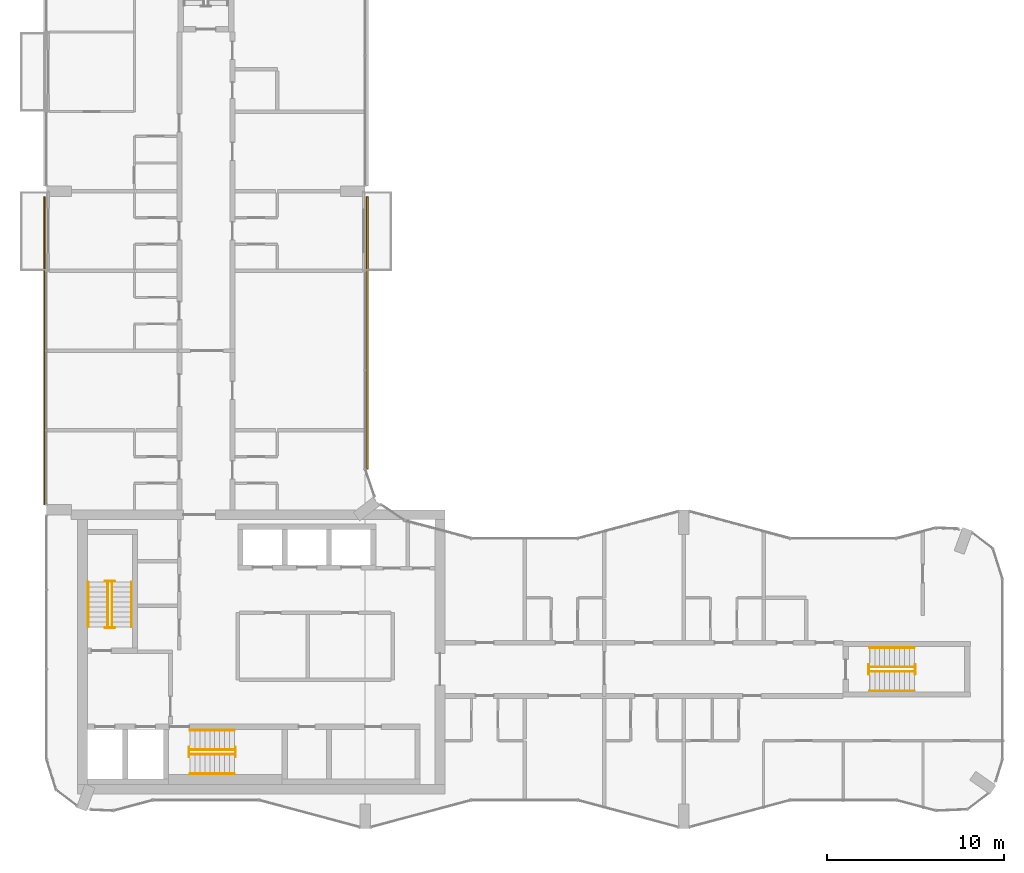
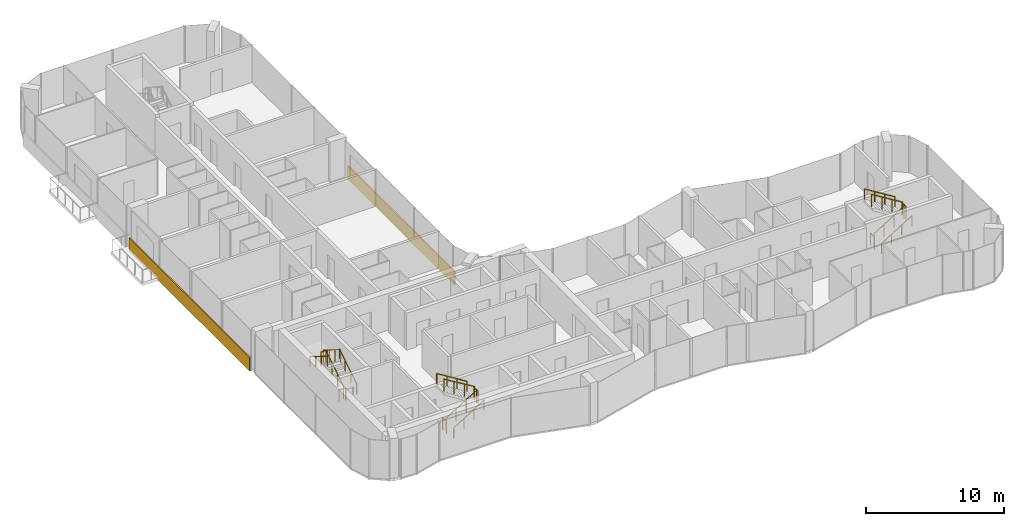
# One storey, part 14 of 15: 18 railings, 2 coverings.
"""IFC4 building model written with IfcOpenShell, lengths in metres."""

from ifc_helpers import new_model, si_unit, direction, frame, origin, origin_2d, place, context, subcontext, project, spatial, rectangle, circle, extrude, material, layer, layer_set, type_object, element, save


model = new_model("IFC4")

# Units and contexts
model_context = context("Model", 3, precision=1e-05, world=origin(), true_north=direction((0.0, 1.0)))
body_context = subcontext(model_context, "Body", "Model", "MODEL_VIEW")
ifc_project = project(units=[si_unit("LENGTHUNIT", "METRE"), si_unit("AREAUNIT", "SQUARE_METRE"), si_unit("VOLUMEUNIT", "CUBIC_METRE"), si_unit("PLANEANGLEUNIT", "RADIAN"), si_unit("MASSUNIT", "GRAM", prefix="KILO")], contexts=[model_context])

# Site, building, storey
site_placement = place(None, origin())
site = spatial("IfcSite", under=ifc_project, at=site_placement, CompositionType="ELEMENT")
building_placement = place(site_placement, origin())
building = spatial("IfcBuilding", under=site, at=building_placement, Name="Plateau Cross Towers", CompositionType="ELEMENT")
storey_placement = place(building_placement, frame((0.0, 0.0, 197.89990234375)))
storey = spatial("IfcBuildingStorey", under=building, at=storey_placement, Name="L51", CompositionType="ELEMENT", Elevation=197.89990234375)

# Railings
ifc_material_1 = material(Name="Stainless steel and toughened glass", Category="steel")
railing_type_1 = type_object("IfcRailingType", Name="RL-GUARD-1100", PredefinedType="GUARDRAIL", material=ifc_material_1)
railing_1_placement = place(storey_placement, frame((3.699951171875, 11.39990234375, 0.175048828125)))
element("IfcRailing", 1, at=railing_1_placement, inside=storey, type_object=railing_type_1, Name="L51 ST-1 stair guard 1", PredefinedType="GUARDRAIL", context=body_context, shape_type="SweptSolid", body=[
    extrude(circle(Radius=0.02392578125, at=origin_2d()), frame((0.0, 0.0, 1.076171875), z_axis=(0.0, 0.848007534815, 0.529984170421), x_axis=(-1.0, 0.0, 0.0)), (0.0, 0.0, 1.0), 2.9716796875),
    extrude(circle(Radius=0.02099609375, at=origin_2d()), origin(), (0.0, 0.0, 1.0), 1.052001953125),
    extrude(circle(Radius=0.02099609375, at=origin_2d()), frame((0.0, 0.840087890625, 0.52490234375)), (0.0, 0.0, 1.0), 1.052001953125),
    extrude(circle(Radius=0.02099609375, at=origin_2d()), frame((0.0, 1.679931640625, 1.050048828125)), (0.0, 0.0, 1.0), 1.052001953125),
    extrude(circle(Radius=0.02099609375, at=origin_2d()), frame((0.0, 2.52001953125, 1.574951171875)), (0.0, 0.0, 1.0), 1.052001953125),
])
railing_2_placement = place(storey_placement, frame((3.85009765625, 13.969970703125, 1.75)))
element("IfcRailing", 2, at=railing_2_placement, inside=storey, type_object=railing_type_1, Name="L51 ST-1 stair guard 2", PredefinedType="GUARDRAIL", context=body_context, shape_type="SweptSolid", body=[
    extrude(circle(Radius=0.02392578125, at=origin_2d()), frame((0.0, 0.0, 1.076171875), z_axis=(-1.0, 0.0, 0.0), x_axis=(0.0, -1.0, 0.0)), (0.0, 0.0, 1.0), 0.550048828125),
    extrude(circle(Radius=0.02099609375, at=origin_2d()), origin(), (0.0, 0.0, 1.0), 1.052001953125),
    extrude(circle(Radius=0.02099609375, at=origin_2d()), frame((-0.550048828125, 0.0, 0.0)), (0.0, 0.0, 1.0), 1.052001953125),
])
railing_3_placement = place(storey_placement, frame((3.449951171875, 13.919921875, 1.925048828125)))
element("IfcRailing", 3, at=railing_3_placement, inside=storey, type_object=railing_type_1, Name="L51 ST-1 stair guard 3", PredefinedType="GUARDRAIL", context=body_context, shape_type="SweptSolid", body=[
    extrude(circle(Radius=0.02392578125, at=origin_2d()), frame((0.0, 0.0, 1.076171875), z_axis=(0.0, -0.852616386126, 0.522537365276), x_axis=(1.0, 0.0, 0.0)), (0.0, 0.0, 1.0), 3.01416015625),
    extrude(circle(Radius=0.02099609375, at=origin_2d()), origin(), (0.0, 0.0, 1.0), 1.052001953125),
    extrude(circle(Radius=0.02099609375, at=origin_2d()), frame((0.0, -0.856689453125, 0.52490234375)), (0.0, 0.0, 1.0), 1.052001953125),
    extrude(circle(Radius=0.02099609375, at=origin_2d()), frame((0.0, -1.713134765625, 1.050048828125)), (0.0, 0.0, 1.0), 1.052001953125),
    extrude(circle(Radius=0.02099609375, at=origin_2d()), frame((0.0, -2.56982421875, 1.574951171875)), (0.0, 0.0, 1.0), 1.052001953125),
])
railing_4_placement = place(storey_placement, frame((3.85009765625, 11.35009765625, 0.0)))
element("IfcRailing", 4, at=railing_4_placement, inside=storey, type_object=railing_type_1, Name="L51 ST-1 stair guard 4", PredefinedType="GUARDRAIL", context=body_context, shape_type="SweptSolid", body=[
    extrude(circle(Radius=0.02392578125, at=origin_2d()), frame((0.0, 0.0, 1.076171875), z_axis=(-1.0, 0.0, 0.0), x_axis=(0.0, -1.0, 0.0)), (0.0, 0.0, 1.0), 0.550048828125),
    extrude(circle(Radius=0.02099609375, at=origin_2d()), origin(), (0.0, 0.0, 1.0), 1.052001953125),
    extrude(circle(Radius=0.02099609375, at=origin_2d()), frame((-0.550048828125, 0.0, 0.0)), (0.0, 0.0, 1.0), 1.052001953125),
])
railing_5_placement = place(storey_placement, frame((8.10009765625, 4.199951171875, 0.175048828125)))
element("IfcRailing", 5, at=railing_5_placement, inside=storey, type_object=railing_type_1, Name="L51 ST-2 stair guard 1", PredefinedType="GUARDRAIL", context=body_context, shape_type="SweptSolid", body=[
    extrude(circle(Radius=0.02392578125, at=origin_2d()), frame((0.0, 0.0, 1.076171875), z_axis=(0.848007534815, 0.0, 0.529984170421), x_axis=(0.0, 1.0, 0.0)), (0.0, 0.0, 1.0), 2.9716796875),
    extrude(circle(Radius=0.02099609375, at=origin_2d()), origin(), (0.0, 0.0, 1.0), 1.052001953125),
    extrude(circle(Radius=0.02099609375, at=origin_2d()), frame((0.840087890625, 0.0, 0.52490234375)), (0.0, 0.0, 1.0), 1.052001953125),
    extrude(circle(Radius=0.02099609375, at=origin_2d()), frame((1.679931640625, 0.0, 1.050048828125)), (0.0, 0.0, 1.0), 1.052001953125),
    extrude(circle(Radius=0.02099609375, at=origin_2d()), frame((2.52001953125, 0.0, 1.574951171875)), (0.0, 0.0, 1.0), 1.052001953125),
])
railing_6_placement = place(storey_placement, frame((10.669921875, 4.050048828125, 1.75)))
element("IfcRailing", 6, at=railing_6_placement, inside=storey, type_object=railing_type_1, Name="L51 ST-2 stair guard 2", PredefinedType="GUARDRAIL", context=body_context, shape_type="SweptSolid", body=[
    extrude(circle(Radius=0.02392578125, at=origin_2d()), frame((0.0, 0.0, 1.076171875), z_axis=(0.0, 1.0, 0.0), x_axis=(-1.0, 0.0, 0.0)), (0.0, 0.0, 1.0), 0.550048828125),
    extrude(circle(Radius=0.02099609375, at=origin_2d()), origin(), (0.0, 0.0, 1.0), 1.052001953125),
    extrude(circle(Radius=0.02099609375, at=origin_2d()), frame((0.0, 0.550048828125, 0.0)), (0.0, 0.0, 1.0), 1.052001953125),
])
railing_7_placement = place(storey_placement, frame((10.6201171875, 4.449951171875, 1.925048828125)))
element("IfcRailing", 7, at=railing_7_placement, inside=storey, type_object=railing_type_1, Name="L51 ST-2 stair guard 3", PredefinedType="GUARDRAIL", context=body_context, shape_type="SweptSolid", body=[
    extrude(circle(Radius=0.02392578125, at=origin_2d()), frame((0.0, 0.0, 1.076171875), z_axis=(-0.852638500773, 0.0, 0.522501279423), x_axis=(0.0, -1.0, 0.0)), (0.0, 0.0, 1.0), 3.01416015625),
    extrude(circle(Radius=0.02099609375, at=origin_2d()), origin(), (0.0, 0.0, 1.0), 1.052001953125),
    extrude(circle(Radius=0.02099609375, at=origin_2d()), frame((-0.856689453125, 0.0, 0.52490234375)), (0.0, 0.0, 1.0), 1.052001953125),
    extrude(circle(Radius=0.02099609375, at=origin_2d()), frame((-1.71337890625, 0.0, 1.050048828125)), (0.0, 0.0, 1.0), 1.052001953125),
    extrude(circle(Radius=0.02099609375, at=origin_2d()), frame((-2.570068359375, 0.0, 1.574951171875)), (0.0, 0.0, 1.0), 1.052001953125),
])
railing_8_placement = place(storey_placement, frame((8.050048828125, 4.050048828125, 0.0)))
element("IfcRailing", 8, at=railing_8_placement, inside=storey, type_object=railing_type_1, Name="L51 ST-2 stair guard 4", PredefinedType="GUARDRAIL", context=body_context, shape_type="SweptSolid", body=[
    extrude(circle(Radius=0.02392578125, at=origin_2d()), frame((0.0, 0.0, 1.076171875), z_axis=(0.0, 1.0, 0.0), x_axis=(-1.0, 0.0, 0.0)), (0.0, 0.0, 1.0), 0.550048828125),
    extrude(circle(Radius=0.02099609375, at=origin_2d()), origin(), (0.0, 0.0, 1.0), 1.052001953125),
    extrude(circle(Radius=0.02099609375, at=origin_2d()), frame((0.0, 0.550048828125, 0.0)), (0.0, 0.0, 1.0), 1.052001953125),
])
railing_9_placement = place(storey_placement, frame((46.5, 8.875, 0.175048828125)))
element("IfcRailing", 9, at=railing_9_placement, inside=storey, type_object=railing_type_1, Name="L51 ES-E stair guard 1", PredefinedType="GUARDRAIL", context=body_context, shape_type="SweptSolid", body=[
    extrude(circle(Radius=0.02392578125, at=origin_2d()), frame((0.0, 0.0, 1.076171875), z_axis=(0.848007534815, 0.0, 0.529984170421), x_axis=(0.0, 1.0, 0.0)), (0.0, 0.0, 1.0), 2.9716796875),
    extrude(circle(Radius=0.02099609375, at=origin_2d()), origin(), (0.0, 0.0, 1.0), 1.052001953125),
    extrude(circle(Radius=0.02099609375, at=origin_2d()), frame((0.840087890625, 0.0, 0.52490234375)), (0.0, 0.0, 1.0), 1.052001953125),
    extrude(circle(Radius=0.02099609375, at=origin_2d()), frame((1.679931640625, 0.0, 1.050048828125)), (0.0, 0.0, 1.0), 1.052001953125),
    extrude(circle(Radius=0.02099609375, at=origin_2d()), frame((2.52001953125, 0.0, 1.574951171875)), (0.0, 0.0, 1.0), 1.052001953125),
])
railing_10_placement = place(storey_placement, frame((49.070068359375, 8.72509765625, 1.75)))
element("IfcRailing", 10, at=railing_10_placement, inside=storey, type_object=railing_type_1, Name="L51 ES-E stair guard 2", PredefinedType="GUARDRAIL", context=body_context, shape_type="SweptSolid", body=[
    extrude(circle(Radius=0.02392578125, at=origin_2d()), frame((0.0, 0.0, 1.076171875), z_axis=(0.0, 1.0, 0.0), x_axis=(-1.0, 0.0, 0.0)), (0.0, 0.0, 1.0), 0.5498046875),
    extrude(circle(Radius=0.02099609375, at=origin_2d()), origin(), (0.0, 0.0, 1.0), 1.052001953125),
    extrude(circle(Radius=0.02099609375, at=origin_2d()), frame((0.0, 0.5498046875, 0.0)), (0.0, 0.0, 1.0), 1.052001953125),
])
railing_11_placement = place(storey_placement, frame((49.02001953125, 9.125, 1.925048828125)))
element("IfcRailing", 11, at=railing_11_placement, inside=storey, type_object=railing_type_1, Name="L51 ES-E stair guard 3", PredefinedType="GUARDRAIL", context=body_context, shape_type="SweptSolid", body=[
    extrude(circle(Radius=0.02392578125, at=origin_2d()), frame((0.0, 0.0, 1.076171875), z_axis=(-0.852638500773, 0.0, 0.522501279423), x_axis=(0.0, -1.0, 0.0)), (0.0, 0.0, 1.0), 3.01416015625),
    extrude(circle(Radius=0.02099609375, at=origin_2d()), origin(), (0.0, 0.0, 1.0), 1.052001953125),
    extrude(circle(Radius=0.02099609375, at=origin_2d()), frame((-0.856689453125, 0.0, 0.52490234375)), (0.0, 0.0, 1.0), 1.052001953125),
    extrude(circle(Radius=0.02099609375, at=origin_2d()), frame((-1.71337890625, 0.0, 1.050048828125)), (0.0, 0.0, 1.0), 1.052001953125),
    extrude(circle(Radius=0.02099609375, at=origin_2d()), frame((-2.570068359375, 0.0, 1.574951171875)), (0.0, 0.0, 1.0), 1.052001953125),
])
railing_12_placement = place(storey_placement, frame((46.449951171875, 8.72509765625, 0.0)))
element("IfcRailing", 12, at=railing_12_placement, inside=storey, type_object=railing_type_1, Name="L51 ES-E stair guard 4", PredefinedType="GUARDRAIL", context=body_context, shape_type="SweptSolid", body=[
    extrude(circle(Radius=0.02392578125, at=origin_2d()), frame((0.0, 0.0, 1.076171875), z_axis=(0.0, 1.0, 0.0), x_axis=(-1.0, 0.0, 0.0)), (0.0, 0.0, 1.0), 0.5498046875),
    extrude(circle(Radius=0.02099609375, at=origin_2d()), origin(), (0.0, 0.0, 1.0), 1.052001953125),
    extrude(circle(Radius=0.02099609375, at=origin_2d()), frame((0.0, 0.5498046875, 0.0)), (0.0, 0.0, 1.0), 1.052001953125),
])
ifc_material_2 = material(Name="Black anodised aluminium", Category="aluminium")
railing_type_2 = type_object("IfcRailingType", Name="RL-HANDRAIL-900", PredefinedType="HANDRAIL", material=ifc_material_2)
railing_13_placement = place(storey_placement, frame((4.800048828125, 11.39990234375, 0.175048828125)))
element("IfcRailing", 13, at=railing_13_placement, inside=storey, type_object=railing_type_2, Name="L51 ST-1 stair handrail 1", PredefinedType="HANDRAIL", context=body_context, shape_type="SweptSolid", body=[
    extrude(circle(Radius=0.02392578125, at=origin_2d()), frame((0.0, 0.0, 0.8759765625), z_axis=(0.0, 0.848007534815, 0.529984170421), x_axis=(-1.0, 0.0, 0.0)), (0.0, 0.0, 1.0), 2.9716796875),
    extrude(circle(Radius=0.02099609375, at=origin_2d()), origin(), (0.0, 0.0, 1.0), 0.851806640625),
    extrude(circle(Radius=0.02099609375, at=origin_2d()), frame((0.0, 0.840087890625, 0.52490234375)), (0.0, 0.0, 1.0), 0.851806640625),
    extrude(circle(Radius=0.02099609375, at=origin_2d()), frame((0.0, 1.679931640625, 1.050048828125)), (0.0, 0.0, 1.0), 0.851806640625),
    extrude(circle(Radius=0.02099609375, at=origin_2d()), frame((0.0, 2.52001953125, 1.574951171875)), (0.0, 0.0, 1.0), 0.851806640625),
])
railing_14_placement = place(storey_placement, frame((2.35009765625, 13.919921875, 1.925048828125)))
element("IfcRailing", 14, at=railing_14_placement, inside=storey, type_object=railing_type_2, Name="L51 ST-1 stair handrail 2", PredefinedType="HANDRAIL", context=body_context, shape_type="SweptSolid", body=[
    extrude(circle(Radius=0.02392578125, at=origin_2d()), frame((0.0, 0.0, 0.8759765625), z_axis=(0.0, -0.848007534815, 0.529984170421), x_axis=(1.0, 0.0, 0.0)), (0.0, 0.0, 1.0), 2.9716796875),
    extrude(circle(Radius=0.02099609375, at=origin_2d()), origin(), (0.0, 0.0, 1.0), 0.851806640625),
    extrude(circle(Radius=0.02099609375, at=origin_2d()), frame((0.0, -0.840087890625, 0.52490234375)), (0.0, 0.0, 1.0), 0.851806640625),
    extrude(circle(Radius=0.02099609375, at=origin_2d()), frame((0.0, -1.679931640625, 1.050048828125)), (0.0, 0.0, 1.0), 0.851806640625),
    extrude(circle(Radius=0.02099609375, at=origin_2d()), frame((0.0, -2.52001953125, 1.574951171875)), (0.0, 0.0, 1.0), 0.851806640625),
])
railing_15_placement = place(storey_placement, frame((8.10009765625, 3.10009765625, 0.175048828125)))
element("IfcRailing", 15, at=railing_15_placement, inside=storey, type_object=railing_type_2, Name="L51 ST-2 stair handrail 1", PredefinedType="HANDRAIL", context=body_context, shape_type="SweptSolid", body=[
    extrude(circle(Radius=0.02392578125, at=origin_2d()), frame((0.0, 0.0, 0.8759765625), z_axis=(0.848007534815, 0.0, 0.529984170421), x_axis=(0.0, 1.0, 0.0)), (0.0, 0.0, 1.0), 2.9716796875),
    extrude(circle(Radius=0.02099609375, at=origin_2d()), origin(), (0.0, 0.0, 1.0), 0.851806640625),
    extrude(circle(Radius=0.02099609375, at=origin_2d()), frame((0.840087890625, 0.0, 0.52490234375)), (0.0, 0.0, 1.0), 0.851806640625),
    extrude(circle(Radius=0.02099609375, at=origin_2d()), frame((1.679931640625, 0.0, 1.050048828125)), (0.0, 0.0, 1.0), 0.851806640625),
    extrude(circle(Radius=0.02099609375, at=origin_2d()), frame((2.52001953125, 0.0, 1.574951171875)), (0.0, 0.0, 1.0), 0.851806640625),
])
railing_16_placement = place(storey_placement, frame((10.6201171875, 5.550048828125, 1.925048828125)))
element("IfcRailing", 16, at=railing_16_placement, inside=storey, type_object=railing_type_2, Name="L51 ST-2 stair handrail 2", PredefinedType="HANDRAIL", context=body_context, shape_type="SweptSolid", body=[
    extrude(circle(Radius=0.02392578125, at=origin_2d()), frame((0.0, 0.0, 0.8759765625), z_axis=(-0.848007534815, 0.0, 0.529984170421), x_axis=(0.0, -1.0, 0.0)), (0.0, 0.0, 1.0), 2.9716796875),
    extrude(circle(Radius=0.02099609375, at=origin_2d()), origin(), (0.0, 0.0, 1.0), 0.851806640625),
    extrude(circle(Radius=0.02099609375, at=origin_2d()), frame((-0.840087890625, 0.0, 0.52490234375)), (0.0, 0.0, 1.0), 0.851806640625),
    extrude(circle(Radius=0.02099609375, at=origin_2d()), frame((-1.679931640625, 0.0, 1.050048828125)), (0.0, 0.0, 1.0), 0.851806640625),
    extrude(circle(Radius=0.02099609375, at=origin_2d()), frame((-2.52001953125, 0.0, 1.574951171875)), (0.0, 0.0, 1.0), 0.851806640625),
])
railing_17_placement = place(storey_placement, frame((46.5, 7.77490234375, 0.175048828125)))
element("IfcRailing", 17, at=railing_17_placement, inside=storey, type_object=railing_type_2, Name="L51 ES-E stair handrail 1", PredefinedType="HANDRAIL", context=body_context, shape_type="SweptSolid", body=[
    extrude(circle(Radius=0.02392578125, at=origin_2d()), frame((0.0, 0.0, 0.8759765625), z_axis=(0.848007534815, 0.0, 0.529984170421), x_axis=(0.0, 1.0, 0.0)), (0.0, 0.0, 1.0), 2.9716796875),
    extrude(circle(Radius=0.02099609375, at=origin_2d()), origin(), (0.0, 0.0, 1.0), 0.851806640625),
    extrude(circle(Radius=0.02099609375, at=origin_2d()), frame((0.840087890625, 0.0, 0.52490234375)), (0.0, 0.0, 1.0), 0.851806640625),
    extrude(circle(Radius=0.02099609375, at=origin_2d()), frame((1.679931640625, 0.0, 1.050048828125)), (0.0, 0.0, 1.0), 0.851806640625),
    extrude(circle(Radius=0.02099609375, at=origin_2d()), frame((2.52001953125, 0.0, 1.574951171875)), (0.0, 0.0, 1.0), 0.851806640625),
])
railing_18_placement = place(storey_placement, frame((49.02001953125, 10.22509765625, 1.925048828125)))
element("IfcRailing", 18, at=railing_18_placement, inside=storey, type_object=railing_type_2, Name="L51 ES-E stair handrail 2", PredefinedType="HANDRAIL", context=body_context, shape_type="SweptSolid", body=[
    extrude(circle(Radius=0.02392578125, at=origin_2d()), frame((0.0, 0.0, 0.8759765625), z_axis=(-0.848007534815, 0.0, 0.529984170421), x_axis=(0.0, -1.0, 0.0)), (0.0, 0.0, 1.0), 2.9716796875),
    extrude(circle(Radius=0.02099609375, at=origin_2d()), origin(), (0.0, 0.0, 1.0), 0.851806640625),
    extrude(circle(Radius=0.02099609375, at=origin_2d()), frame((-0.840087890625, 0.0, 0.52490234375)), (0.0, 0.0, 1.0), 0.851806640625),
    extrude(circle(Radius=0.02099609375, at=origin_2d()), frame((-1.679931640625, 0.0, 1.050048828125)), (0.0, 0.0, 1.0), 0.851806640625),
    extrude(circle(Radius=0.02099609375, at=origin_2d()), frame((-2.52001953125, 0.0, 1.574951171875)), (0.0, 0.0, 1.0), 0.851806640625),
])

# Coverings
ifc_material_3 = material(Name="Precast concrete cladding C40/50", Category="concrete")
ifc_layer = layer(ifc_material_3, 0.10009765625)
ifc_layer_set = layer_set([ifc_layer], Name="Precast concrete cladding C40/50")
covering_type = type_object("IfcCoveringType", Name="Spandrel band cladding 100x1200", PredefinedType="CLADDING", material=ifc_layer_set)
covering_1_placement = place(storey_placement, frame((18.1201171875, 28.001220703125, -0.25), z_axis=(0.0, 0.0, 1.0), x_axis=(0.0, 1.0, 0.0)))
element("IfcCovering", 19, at=covering_1_placement, inside=storey, type_object=covering_type, Name="Spandrel band", PredefinedType="CLADDING", context=body_context, shape_type="SweptSolid", body=[
    extrude(rectangle(XDim=15.397705078125, YDim=0.10009765625, at=origin_2d()), origin(), (0.0, 0.0, 1.0), 1.199951171875),
])
covering_2_placement = place(storey_placement, frame((-0.1201171875, 27.0, -0.25), z_axis=(0.0, 0.0, 1.0), x_axis=(0.0, -1.0, 0.0)))
element("IfcCovering", 20, at=covering_2_placement, inside=storey, type_object=covering_type, Name="Spandrel band", PredefinedType="CLADDING", context=body_context, shape_type="SweptSolid", body=[
    extrude(rectangle(XDim=17.39990234375, YDim=0.10009765625, at=origin_2d()), origin(), (0.0, 0.0, 1.0), 1.199951171875),
])

save(model, "model.ifc")
